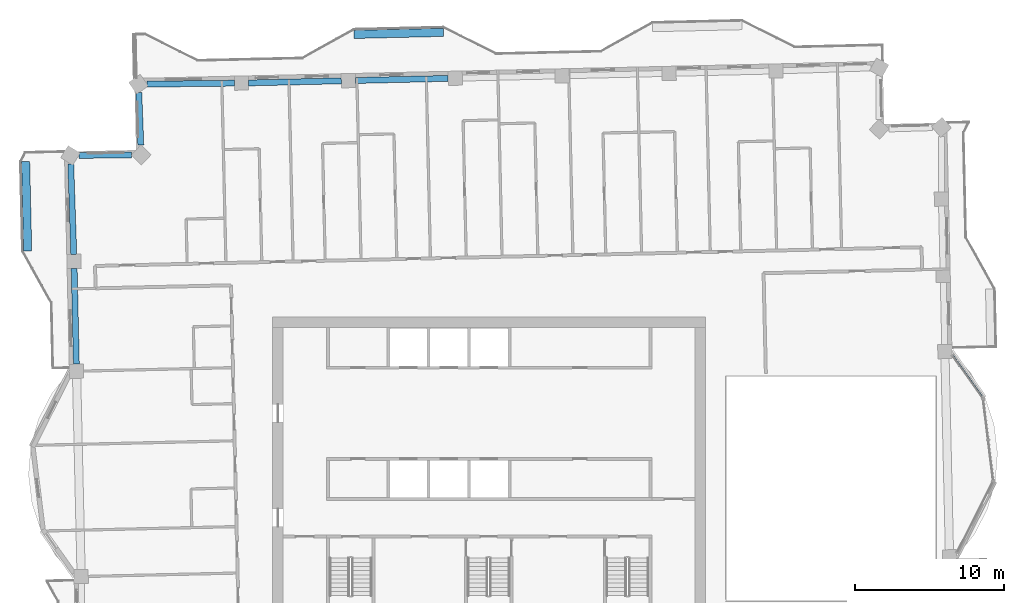
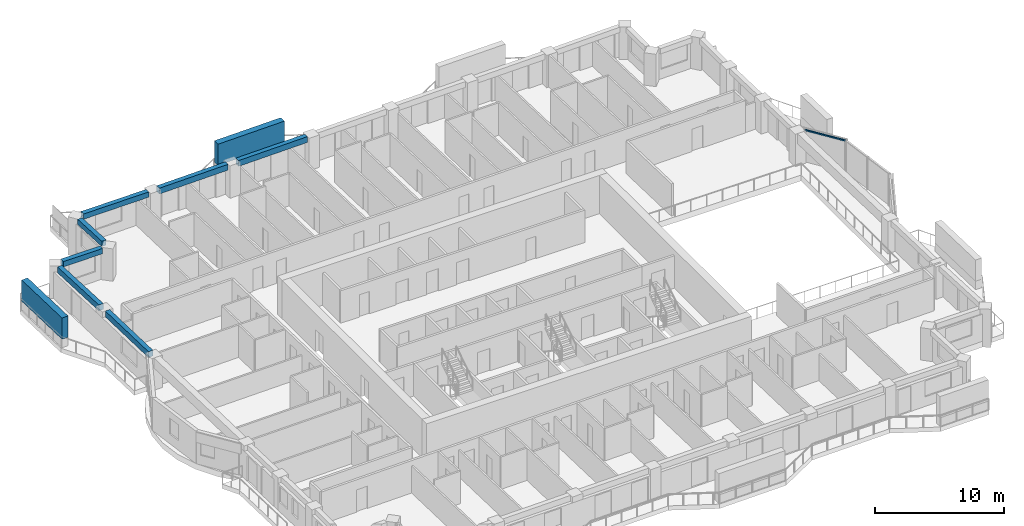
# One storey, part 3 of 18: 7 beams, 3 members, 1 element without a shape of its own.
"""IFC4 building model written with IfcOpenShell, lengths in metres."""

from ifc_helpers import new_model, si_unit, direction, frame, origin, origin_2d, place, context, subcontext, project, spatial, rectangle, extrude, material, material_profile, profile_set, type_object, element, aggregate, save


model = new_model("IFC4")

# Units and contexts
model_context = context("Model", 3, precision=1e-05, world=origin(), true_north=direction((0.0, 1.0)))
body_context = subcontext(model_context, "Body", "Model", "MODEL_VIEW")
ifc_project = project(units=[si_unit("LENGTHUNIT", "METRE"), si_unit("AREAUNIT", "SQUARE_METRE"), si_unit("VOLUMEUNIT", "CUBIC_METRE"), si_unit("PLANEANGLEUNIT", "RADIAN"), si_unit("MASSUNIT", "GRAM", prefix="KILO")], contexts=[model_context])

# Site, building, storey
site_placement = place(None, origin())
site = spatial("IfcSite", under=ifc_project, at=site_placement, CompositionType="ELEMENT")
building_placement = place(site_placement, origin())
building = spatial("IfcBuilding", under=site, at=building_placement, Name="Mangrove Gate Tower", CompositionType="ELEMENT")
storey_placement = place(building_placement, frame((0.0, 0.0, 287.10009765625)))
storey = spatial("IfcBuildingStorey", under=building, at=storey_placement, Name="L73", CompositionType="ELEMENT", Elevation=287.10009765625)

# Curtain wall, member
ifc_material_1 = material(Name="Aluminium and glass curtain wall", Category="aluminium")
curtain_wall_type = type_object("IfcCurtainWallType", Name="Atrium garden-court glazing wall", PredefinedType="NOTDEFINED", material=ifc_material_1)
curtain_wall_placement = place(storey_placement, origin())
curtain_wall = element("IfcCurtainWall", 1, at=curtain_wall_placement, inside=storey, type_object=curtain_wall_type, Name="Atrium garden-court glazing E1f3", PredefinedType="NOTDEFINED")
ifc_material_2 = material(Name="Aluminium alloy 6063-T6", Category="aluminium")
ifc_material_profile_1 = material_profile(ifc_material_2, rectangle(XDim=0.070068359375, YDim=0.14990234375, at=origin_2d()))
ifc_profile_set_1 = profile_set([ifc_material_profile_1], Name="Aluminium alloy 6063-T6")
member_type_1 = type_object("IfcMemberType", Name="Atrium garden-court glazing transom 70x150", PredefinedType="USERDEFINED", material=ifc_profile_set_1)
member_1_placement = place(storey_placement, frame((33.04248046875, 6.094970703125, 3.014892578125), z_axis=(-0.578135862494, 0.815940515294, 0.0), x_axis=(0.0, 0.0, 1.0)))
member_1 = element("IfcMember", 2, at=member_1_placement, type_object=member_type_1, Name="CWA transom 1.2", ObjectType="TRANSOM", PredefinedType="USERDEFINED", context=body_context, shape_type="SweptSolid", body=[
    extrude(rectangle(XDim=0.070068359375, YDim=0.14990234375, at=origin_2d()), origin(), (0.0, 0.0, 1.0), 3.428955078125),
])
aggregate(curtain_wall, [member_1])

# Members
ifc_material_3 = material(Name="Planting on aluminium trellis", Category="aluminium")
ifc_material_profile_2 = material_profile(ifc_material_3, rectangle(XDim=0.550048828125, YDim=2.0, at=origin_2d()))
ifc_profile_set_2 = profile_set([ifc_material_profile_2], Name="Planting on aluminium trellis")
member_type_2 = type_object("IfcMemberType", Name="Balcony greenery screen 550x2000", PredefinedType="USERDEFINED", material=ifc_profile_set_2)
member_2_placement = place(storey_placement, frame((-9.055908203125, 30.430908203125, 1.7998046875), z_axis=(0.999743073592, 0.022666865795, 0.0), x_axis=(-0.022666865795, 0.999743073592, 0.0)))
element("IfcMember", 3, at=member_2_placement, inside=storey, type_object=member_type_2, Name="GREEN SCREEN L73 N1.1", ObjectType="PLANTING", PredefinedType="USERDEFINED", context=body_context, shape_type="SweptSolid", body=[
    extrude(rectangle(XDim=0.550048828125, YDim=2.0, at=origin_2d()), origin(), (0.0, 0.0, 1.0), 5.999267578125),
])
member_3_placement = place(storey_placement, frame((-30.9150390625, 15.916015625, 1.7998046875), z_axis=(-0.022665943652, 0.999743094499, 0.0), x_axis=(-0.999743094499, -0.022665943652, 0.0)))
element("IfcMember", 4, at=member_3_placement, inside=storey, type_object=member_type_2, Name="GREEN SCREEN L73 W0.1", ObjectType="PLANTING", PredefinedType="USERDEFINED", context=body_context, shape_type="SweptSolid", body=[
    extrude(rectangle(XDim=0.550048828125, YDim=2.0, at=origin_2d()), origin(), (0.0, 0.0, 1.0), 5.99951171875),
])

# Beams
ifc_material_4 = material(Name="Concrete C50/60", Category="concrete")
ifc_material_profile_3 = material_profile(ifc_material_4, rectangle(XDim=0.39990234375, YDim=0.5, at=origin_2d()))
ifc_profile_set_3 = profile_set([ifc_material_profile_3], Name="Concrete C50/60")
beam_type_1 = type_object("IfcBeamType", Name="Edge beam RC 400x500 C50/60", PredefinedType="BEAM", material=ifc_profile_set_3)
beam_1_placement = place(storey_placement, frame((-17.064208984375, 27.163818359375, 2.7998046875), z_axis=(-0.999938328847, -0.011105786867, 0.0), x_axis=(0.011105786867, -0.999938328847, 0.0)))
element("IfcBeam", 5, at=beam_1_placement, inside=storey, type_object=beam_type_1, Name="Edge beam L73 28", PredefinedType="BEAM", context=body_context, shape_type="SweptSolid", body=[
    extrude(rectangle(XDim=0.39990234375, YDim=0.5, at=origin_2d()), origin(), (0.0, 0.0, 1.0), 5.847412109375),
])
beam_2_placement = place(storey_placement, frame((-23.46630859375, 26.52685546875, 2.7998046875), z_axis=(0.037803278798, -0.999285200587, 0.0), x_axis=(0.999285200587, 0.037803278798, 0.0)))
element("IfcBeam", 6, at=beam_2_placement, inside=storey, type_object=beam_type_1, Name="Edge beam L73 29", PredefinedType="BEAM", context=body_context, shape_type="SweptSolid", body=[
    extrude(rectangle(XDim=0.39990234375, YDim=0.5, at=origin_2d()), origin(), (0.0, 0.0, 1.0), 3.51318359375),
])
beam_3_placement = place(storey_placement, frame((-23.9697265625, 22.3505859375, 2.7998046875), z_axis=(-0.999978236017, -0.006597536803, 0.0), x_axis=(0.006597536803, -0.999978236017, 0.0)))
element("IfcBeam", 7, at=beam_3_placement, inside=storey, type_object=beam_type_1, Name="Edge beam L73 30", PredefinedType="BEAM", context=body_context, shape_type="SweptSolid", body=[
    extrude(rectangle(XDim=0.39990234375, YDim=0.5, at=origin_2d()), origin(), (0.0, 0.0, 1.0), 3.515380859375),
])
ifc_material_5 = material(Name="Concrete C50/60", Category="concrete")
ifc_material_profile_4 = material_profile(ifc_material_5, rectangle(XDim=0.39990234375, YDim=0.550048828125, at=origin_2d()))
ifc_profile_set_4 = profile_set([ifc_material_profile_4], Name="Concrete C50/60")
beam_type_2 = type_object("IfcBeamType", Name="Edge beam RC 400x550 C50/60", PredefinedType="BEAM", material=ifc_profile_set_4)
beam_4_placement = place(storey_placement, frame((-2.7431640625, 27.4833984375, 2.77490234375), z_axis=(-0.999741125002, -0.022752647749, 0.0), x_axis=(0.022752647749, -0.999741125002, 0.0)))
element("IfcBeam", 8, at=beam_4_placement, inside=storey, type_object=beam_type_2, Name="Edge beam L73 26", PredefinedType="BEAM", context=body_context, shape_type="SweptSolid", body=[
    extrude(rectangle(XDim=0.39990234375, YDim=0.550048828125, at=origin_2d()), origin(), (0.0, 0.0, 1.0), 6.212890625),
])
beam_5_placement = place(storey_placement, frame((-9.904052734375, 27.3203125, 2.77490234375), z_axis=(-0.999744607867, -0.022599093821, 0.0), x_axis=(0.022599093821, -0.999744607867, 0.0)))
element("IfcBeam", 9, at=beam_5_placement, inside=storey, type_object=beam_type_2, Name="Edge beam L73 27", PredefinedType="BEAM", context=body_context, shape_type="SweptSolid", body=[
    extrude(rectangle(XDim=0.39990234375, YDim=0.550048828125, at=origin_2d()), origin(), (0.0, 0.0, 1.0), 6.211669921875),
])
beam_6_placement = place(storey_placement, frame((-28.027099609375, 21.7529296875, 2.77490234375), z_axis=(0.033530874291, -0.999437682134, 0.0), x_axis=(0.999437682134, 0.033530874291, 0.0)))
element("IfcBeam", 10, at=beam_6_placement, inside=storey, type_object=beam_type_2, Name="Edge beam L73 31", PredefinedType="BEAM", context=body_context, shape_type="SweptSolid", body=[
    extrude(rectangle(XDim=0.39990234375, YDim=0.550048828125, at=origin_2d()), origin(), (0.0, 0.0, 1.0), 6.057861328125),
])
beam_7_placement = place(storey_placement, frame((-27.79736328125, 14.748779296875, 2.77490234375), z_axis=(0.022693727478, -0.999742464204, 0.0), x_axis=(0.999742464204, 0.022693727478, 0.0)))
element("IfcBeam", 11, at=beam_7_placement, inside=storey, type_object=beam_type_2, Name="Edge beam L73 32", PredefinedType="BEAM", context=body_context, shape_type="SweptSolid", body=[
    extrude(rectangle(XDim=0.39990234375, YDim=0.550048828125, at=origin_2d()), origin(), (0.0, 0.0, 1.0), 6.411865234375),
])

save(model, "model.ifc")
